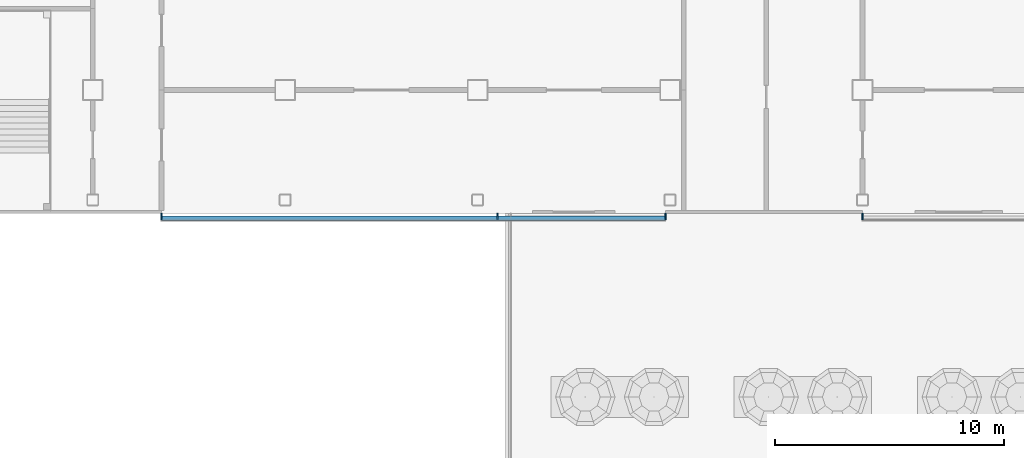
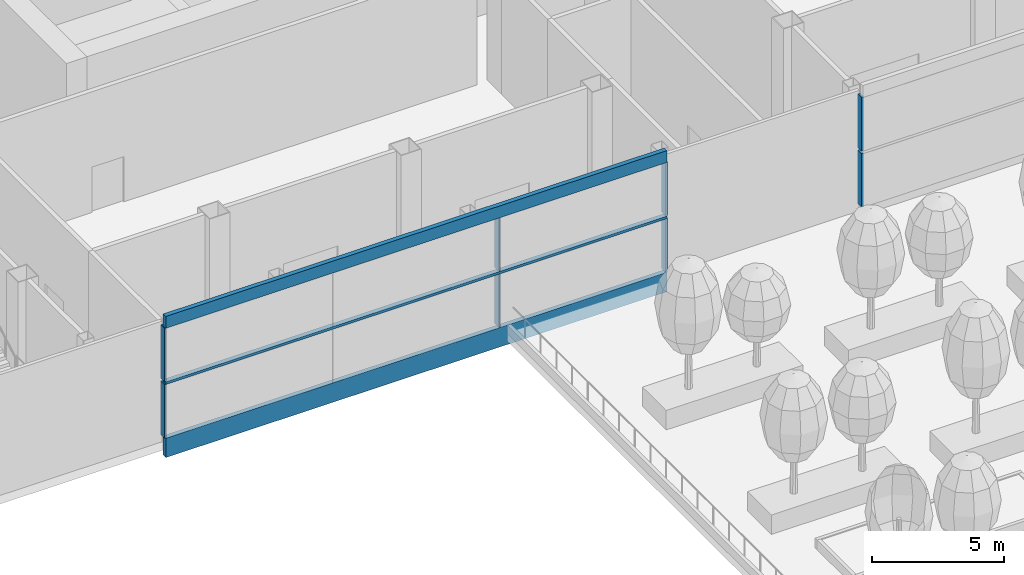
# One storey, part 12 of 100: 11 members, 2 elements without a shape of their own.
"""IFC4 building model written with IfcOpenShell, lengths in metres."""

from ifc_helpers import new_model, si_unit, direction, frame, origin, origin_2d, place, context, subcontext, project, spatial, rectangle, extrude, material, layer, layer_set, material_profile, profile_set, type_object, element, aggregate, save


model = new_model("IFC4")

# Units and contexts
model_context = context("Model", 3, precision=1e-05, world=origin(), true_north=direction((0.0, 1.0)))
body_context = subcontext(model_context, "Body", "Model", "MODEL_VIEW")
ifc_project = project(units=[si_unit("LENGTHUNIT", "METRE"), si_unit("AREAUNIT", "SQUARE_METRE"), si_unit("VOLUMEUNIT", "CUBIC_METRE"), si_unit("PLANEANGLEUNIT", "RADIAN"), si_unit("MASSUNIT", "GRAM", prefix="KILO")], contexts=[model_context])

# Site, building, storey
site_placement = place(None, origin())
site = spatial("IfcSite", under=ifc_project, at=site_placement, CompositionType="ELEMENT")
building_placement = place(site_placement, origin())
building = spatial("IfcBuilding", under=site, at=building_placement, Name="Hakoniwa Tower and Hamabe Station Hall", CompositionType="ELEMENT")
storey_placement = place(building_placement, frame((0.0, 0.0, 9.0)))
storey = spatial("IfcBuildingStorey", under=building, at=storey_placement, Name="L02", CompositionType="ELEMENT", Elevation=9.0)

# Curtain wall, members
ifc_material_1 = material(Name="Dark low-e laminated glass", Category="glass")
ifc_layer = layer(ifc_material_1, 0.199951171875)
ifc_layer_set = layer_set([ifc_layer], Name="CW-3 PODIUM LOBBY")
curtain_wall_type = type_object("IfcCurtainWallType", Name="CW-3 PODIUM LOBBY", PredefinedType="NOTDEFINED", material=ifc_layer_set)
curtain_wall_1_placement = place(storey_placement, origin())
curtain_wall_1 = element("IfcCurtainWall", 1, at=curtain_wall_1_placement, inside=storey, type_object=curtain_wall_type, Name="Podium curtain wall L02 south 1", PredefinedType="NOTDEFINED")
ifc_material_2 = material(Name="Aluminium 6063-T5 black anodised", Category="aluminium")
ifc_material_profile_1 = material_profile(ifc_material_2, rectangle(XDim=0.199951171875, YDim=0.550048828125, at=origin_2d()), Name="CW HEAD BAND 550X200")
ifc_profile_set_1 = profile_set([ifc_material_profile_1], Name="Aluminium 6063-T5 black anodised")
member_type_1 = type_object("IfcMemberType", Name="CW HEAD BAND 550X200", PredefinedType="USERDEFINED", material=ifc_profile_set_1)
member_1_placement = place(storey_placement, frame((-39.0, -25.199951171875, 5.72509765625), z_axis=(1.0, 0.0, 0.0), x_axis=(0.0, 1.0, 0.0)))
member_1 = element("IfcMember", 2, at=member_1_placement, type_object=member_type_1, Name="CW-3 transom", ObjectType="TRANSOM", PredefinedType="USERDEFINED", context=body_context, shape_type="SweptSolid", body=[
    extrude(rectangle(XDim=0.199951171875, YDim=0.550048828125, at=origin_2d()), origin(), (0.0, 0.0, 1.0), 22.0),
])
ifc_material_3 = material(Name="Aluminium 6063-T5 black anodised", Category="aluminium")
ifc_material_profile_2 = material_profile(ifc_material_3, rectangle(XDim=0.199951171875, YDim=0.1201171875, at=origin_2d()), Name="CW MID TRANSOM 120X200")
ifc_profile_set_2 = profile_set([ifc_material_profile_2], Name="Aluminium 6063-T5 black anodised")
member_type_2 = type_object("IfcMemberType", Name="CW MID TRANSOM 120X200", PredefinedType="USERDEFINED", material=ifc_profile_set_2)
member_2_placement = place(storey_placement, frame((-39.0, -25.199951171875, 2.89990234375), z_axis=(1.0, 0.0, 0.0), x_axis=(0.0, 1.0, 0.0)))
member_2 = element("IfcMember", 3, at=member_2_placement, type_object=member_type_2, Name="CW-3 transom", ObjectType="TRANSOM", PredefinedType="USERDEFINED", context=body_context, shape_type="SweptSolid", body=[
    extrude(rectangle(XDim=0.199951171875, YDim=0.1201171875, at=origin_2d()), origin(), (0.0, 0.0, 1.0), 22.0),
])
ifc_material_4 = material(Name="Aluminium 6063-T5 black anodised", Category="aluminium")
ifc_material_profile_3 = material_profile(ifc_material_4, rectangle(XDim=0.199951171875, YDim=0.89990234375, at=origin_2d()), Name="CW SLAB-EDGE BAND 900X200")
ifc_profile_set_3 = profile_set([ifc_material_profile_3], Name="Aluminium 6063-T5 black anodised")
member_type_3 = type_object("IfcMemberType", Name="CW SLAB-EDGE BAND 900X200", PredefinedType="USERDEFINED", material=ifc_profile_set_3)
member_3_placement = place(storey_placement, frame((-39.0, -25.199951171875, -0.10009765625), z_axis=(1.0, 0.0, 0.0), x_axis=(0.0, 1.0, 0.0)))
member_3 = element("IfcMember", 4, at=member_3_placement, type_object=member_type_3, Name="CW-3 transom", ObjectType="TRANSOM", PredefinedType="USERDEFINED", context=body_context, shape_type="SweptSolid", body=[
    extrude(rectangle(XDim=0.199951171875, YDim=0.89990234375, at=origin_2d()), origin(), (0.0, 0.0, 1.0), 22.0),
])
ifc_material_5 = material(Name="Aluminium 6063-T5 black anodised", Category="aluminium")
ifc_material_profile_4 = material_profile(ifc_material_5, rectangle(XDim=0.080078125, YDim=0.300048828125, at=origin_2d()), Name="CW-3 MULLION 80X300")
ifc_profile_set_4 = profile_set([ifc_material_profile_4], Name="Aluminium 6063-T5 black anodised")
member_type_4 = type_object("IfcMemberType", Name="CW-3 MULLION 80X300", PredefinedType="MULLION", material=ifc_profile_set_4)
member_4_placement = place(storey_placement, frame((-39.0, -25.1220703125, 0.35009765625), z_axis=(0.0, 0.0, 1.0), x_axis=(1.0, 0.0, 0.0)))
member_4 = element("IfcMember", 5, at=member_4_placement, type_object=member_type_4, Name="CW-3 mullion", PredefinedType="MULLION", context=body_context, shape_type="SweptSolid", body=[
    extrude(rectangle(XDim=0.080078125, YDim=0.300048828125, at=origin_2d()), origin(), (0.0, 0.0, 1.0), 2.489990234375),
])
member_5_placement = place(storey_placement, frame((-39.0, -25.1220703125, 2.9599609375), z_axis=(0.0, 0.0, 1.0), x_axis=(1.0, 0.0, 0.0)))
member_5 = element("IfcMember", 6, at=member_5_placement, type_object=member_type_4, Name="CW-3 mullion", PredefinedType="MULLION", context=body_context, shape_type="SweptSolid", body=[
    extrude(rectangle(XDim=0.080078125, YDim=0.300048828125, at=origin_2d()), origin(), (0.0, 0.0, 1.0), 2.489990234375),
])
member_6_placement = place(storey_placement, frame((-24.333251953125, -25.1220703125, 0.35009765625), z_axis=(0.0, 0.0, 1.0), x_axis=(1.0, 0.0, 0.0)))
member_6 = element("IfcMember", 7, at=member_6_placement, type_object=member_type_4, Name="CW-3 mullion", PredefinedType="MULLION", context=body_context, shape_type="SweptSolid", body=[
    extrude(rectangle(XDim=0.080078125, YDim=0.300048828125, at=origin_2d()), origin(), (0.0, 0.0, 1.0), 2.489990234375),
])
member_7_placement = place(storey_placement, frame((-24.333251953125, -25.1220703125, 2.9599609375), z_axis=(0.0, 0.0, 1.0), x_axis=(1.0, 0.0, 0.0)))
member_7 = element("IfcMember", 8, at=member_7_placement, type_object=member_type_4, Name="CW-3 mullion", PredefinedType="MULLION", context=body_context, shape_type="SweptSolid", body=[
    extrude(rectangle(XDim=0.080078125, YDim=0.300048828125, at=origin_2d()), origin(), (0.0, 0.0, 1.0), 2.489990234375),
])
member_8_placement = place(storey_placement, frame((-17.0, -25.1220703125, 0.35009765625), z_axis=(0.0, 0.0, 1.0), x_axis=(1.0, 0.0, 0.0)))
member_8 = element("IfcMember", 9, at=member_8_placement, type_object=member_type_4, Name="CW-3 mullion", PredefinedType="MULLION", context=body_context, shape_type="SweptSolid", body=[
    extrude(rectangle(XDim=0.080078125, YDim=0.300048828125, at=origin_2d()), origin(), (0.0, 0.0, 1.0), 2.489990234375),
])
member_9_placement = place(storey_placement, frame((-17.0, -25.1220703125, 2.9599609375), z_axis=(0.0, 0.0, 1.0), x_axis=(1.0, 0.0, 0.0)))
member_9 = element("IfcMember", 10, at=member_9_placement, type_object=member_type_4, Name="CW-3 mullion", PredefinedType="MULLION", context=body_context, shape_type="SweptSolid", body=[
    extrude(rectangle(XDim=0.080078125, YDim=0.300048828125, at=origin_2d()), origin(), (0.0, 0.0, 1.0), 2.489990234375),
])
aggregate(curtain_wall_1, [member_4, member_5, member_6, member_7, member_8, member_9, member_3, member_2, member_1])

curtain_wall_2_placement = place(storey_placement, origin())
curtain_wall_2 = element("IfcCurtainWall", 11, at=curtain_wall_2_placement, inside=storey, type_object=curtain_wall_type, Name="Podium curtain wall L02 south 2", PredefinedType="NOTDEFINED")
member_10_placement = place(storey_placement, frame((-8.39990234375, -25.1220703125, 0.35009765625), z_axis=(0.0, 0.0, 1.0), x_axis=(1.0, 0.0, 0.0)))
member_10 = element("IfcMember", 12, at=member_10_placement, type_object=member_type_4, Name="CW-3 mullion", PredefinedType="MULLION", context=body_context, shape_type="SweptSolid", body=[
    extrude(rectangle(XDim=0.080078125, YDim=0.300048828125, at=origin_2d()), origin(), (0.0, 0.0, 1.0), 2.489990234375),
])
member_11_placement = place(storey_placement, frame((-8.39990234375, -25.1220703125, 2.9599609375), z_axis=(0.0, 0.0, 1.0), x_axis=(1.0, 0.0, 0.0)))
member_11 = element("IfcMember", 13, at=member_11_placement, type_object=member_type_4, Name="CW-3 mullion", PredefinedType="MULLION", context=body_context, shape_type="SweptSolid", body=[
    extrude(rectangle(XDim=0.080078125, YDim=0.300048828125, at=origin_2d()), origin(), (0.0, 0.0, 1.0), 2.489990234375),
])
aggregate(curtain_wall_2, [member_10, member_11])

save(model, "model.ifc")
